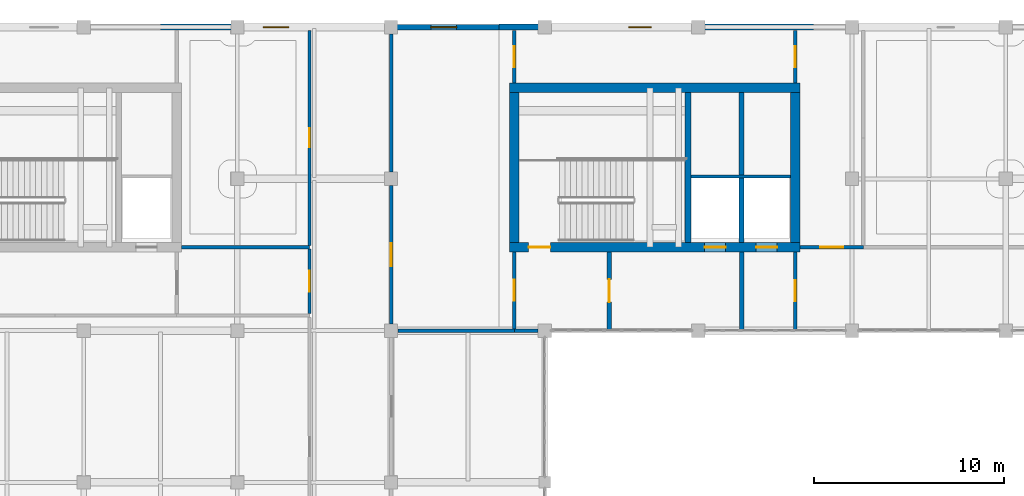
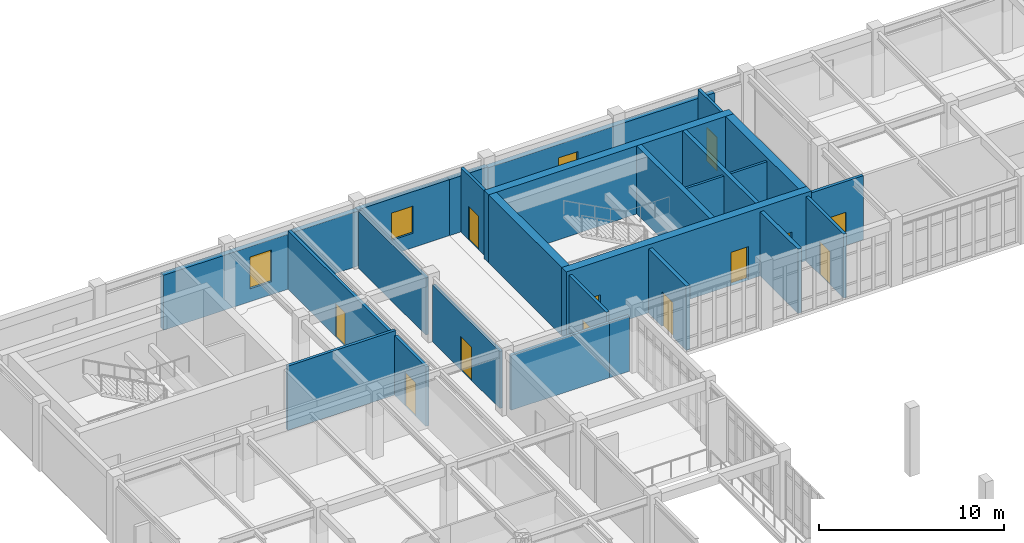
# One storey, part 52 of 67: 25 walls, 12 doors, 3 windows, 15 openings.
"""IFC4 building model written with IfcOpenShell, lengths in metres."""

from ifc_helpers import new_model, si_unit, direction, frame, frame_2d, origin, place, context, subcontext, project, spatial, rectangle, extrude, material, layer, layer_set, type_object, element, fill, save


model = new_model("IFC4")

# Units and contexts
model_context = context("Model", 3, precision=1e-05, world=origin(), true_north=direction((0.0, 1.0)))
body_context = subcontext(model_context, "Body", "Model", "MODEL_VIEW")
ifc_project = project(units=[si_unit("LENGTHUNIT", "METRE"), si_unit("AREAUNIT", "SQUARE_METRE"), si_unit("VOLUMEUNIT", "CUBIC_METRE"), si_unit("PLANEANGLEUNIT", "RADIAN"), si_unit("MASSUNIT", "GRAM", prefix="KILO")], contexts=[model_context])

# Site, building, storey
site_placement = place(None, origin())
site = spatial("IfcSite", under=ifc_project, at=site_placement, CompositionType="ELEMENT")
building_placement = place(site_placement, origin())
building = spatial("IfcBuilding", under=site, at=building_placement, Name="Tarnveldt Square Police Headquarters", CompositionType="ELEMENT")
storey_placement = place(building_placement, frame((0.0, 0.0, 10.199951171875)))
storey = spatial("IfcBuildingStorey", under=building, at=storey_placement, Name="L02", CompositionType="ELEMENT", Elevation=10.199951171875)

# Walls
ifc_material_1 = material(Name="Concrete 50 MPa", Category="concrete")
ifc_layer_1 = layer(ifc_material_1, 0.449951171875)
ifc_layer_set_1 = layer_set([ifc_layer_1], Name="Concrete 50 MPa")
wall_type_1 = type_object("IfcWallType", Name="WL-CORE-450", PredefinedType="SHEAR", material=ifc_layer_set_1)
wall_1_placement = place(storey_placement, frame((56.14990234375, 100.64990234375, 0.0), z_axis=(0.0, 0.0, 1.0), x_axis=(0.0, 1.0, 0.0)))
element("IfcWall", 1, at=wall_1_placement, inside=storey, type_object=wall_type_1, Name="Core K3 North-Central Forensic and Firefighting Core L02 Stair-Lift Divider Shear Wall", PredefinedType="SHEAR", context=body_context, shape_type="SweptSolid", body=[
    extrude(rectangle(XDim=7.900146484375, YDim=0.300048828125, at=frame_2d((3.9501953125, 0.0))), origin(), (0.0, 0.0, 1.0), 4.5),
])
wall_2_placement = place(storey_placement, frame((58.97509765625, 100.64990234375, 0.0), z_axis=(0.0, 0.0, 1.0), x_axis=(0.0, 1.0, 0.0)))
element("IfcWall", 2, at=wall_2_placement, inside=storey, type_object=wall_type_1, Name="Core K3 North-Central Forensic and Firefighting Core L02 Dual-Lift Shaft Divider Wall", PredefinedType="SHEAR", context=body_context, shape_type="SweptSolid", body=[
    extrude(rectangle(XDim=7.900146484375, YDim=0.25, at=frame_2d((3.9501953125, 0.0))), origin(), (0.0, 0.0, 1.0), 4.5),
])

# Wall, openings, doors
ifc_layer_2 = layer(ifc_material_1, 0.5)
ifc_layer_set_2 = layer_set([ifc_layer_2], Name="Concrete 50 MPa")
wall_type_2 = type_object("IfcWallType", Name="WL-CORE-500", PredefinedType="SHEAR", material=ifc_layer_set_2)
wall_3_placement = place(storey_placement, frame((46.75, 100.39990234375, 0.0), z_axis=(0.0, 0.0, 1.0), x_axis=(1.0, 0.0, 0.0)))
wall_3 = element("IfcWall", 3, at=wall_3_placement, inside=storey, type_object=wall_type_2, Name="Core K3 North-Central Forensic and Firefighting Core L02 South Shear Wall", PredefinedType="SHEAR", context=body_context, shape_type="SweptSolid", body=[
    extrude(rectangle(XDim=15.300048828125, YDim=0.5, at=frame_2d((7.64990234375, 0.0))), origin(), (0.0, 0.0, 1.0), 4.5),
])
opening_1_placement = place(wall_3_placement, frame((1.0, 0.0, 0.0)))
opening_1 = element("IfcOpeningElement", 4, at=opening_1_placement, cuts=wall_3, Name="Opening D-ST3-L02", PredefinedType="OPENING", context=body_context, shape_type="SweptSolid", body=[
    extrude(rectangle(XDim=1.14990234375, YDim=2.25, at=frame_2d((0.574951171875, 1.125))), frame((0.0, 0.260009765625, 0.0), z_axis=(0.0, -1.0, 0.0), x_axis=(1.0, 0.0, 0.0)), (0.0, 0.0, 1.0), 0.52001953125),
])
opening_2_placement = place(wall_3_placement, frame((10.282470703125, 0.0, 0.0)))
opening_2 = element("IfcOpeningElement", 5, at=opening_2_placement, cuts=wall_3, Name="Opening LD-LF2-L02", PredefinedType="OPENING", context=body_context, shape_type="SweptSolid", body=[
    extrude(rectangle(XDim=1.10009765625, YDim=2.199951171875, at=frame_2d((0.550048828125, 1.10009765625))), frame((0.0, 0.260009765625, 0.0), z_axis=(0.0, -1.0, 0.0), x_axis=(1.0, 0.0, 0.0)), (0.0, 0.0, 1.0), 0.52001953125),
])
opening_3_placement = place(wall_3_placement, frame((12.99755859375, 0.0, 0.0)))
opening_3 = element("IfcOpeningElement", 6, at=opening_3_placement, cuts=wall_3, Name="Opening LD-LP3-L02", PredefinedType="OPENING", context=body_context, shape_type="SweptSolid", body=[
    extrude(rectangle(XDim=1.10009765625, YDim=2.199951171875, at=frame_2d((0.550048828125, 1.10009765625))), frame((0.0, 0.260009765625, 0.0), z_axis=(0.0, -1.0, 0.0), x_axis=(1.0, 0.0, 0.0)), (0.0, 0.0, 1.0), 0.52001953125),
])
ifc_material_2 = material(Name="Insulated hollow metal steel door leaf", Category="steel")
door_type_1 = type_object("IfcDoorType", Name="DR-FD90-1150", OperationType="NOTDEFINED", PredefinedType="DOOR", material=ifc_material_2)
door_1_placement = place(opening_1_placement, origin())
door_1 = element("IfcDoor", 7, at=door_1_placement, inside=storey, type_object=door_type_1, Name="Exit Stair ST3 L02 Fire Door", OperationType="SINGLE_SWING_RIGHT", OverallHeight=2.25, OverallWidth=1.14990234375, PredefinedType="DOOR", context=body_context, shape_type="SweptSolid", body=[
    extrude(rectangle(XDim=1.14990234375, YDim=2.25, at=frame_2d((0.574951171875, 1.125))), frame((0.0, 0.02490234375, 0.0), z_axis=(0.0, -1.0, 0.0), x_axis=(1.0, 0.0, 0.0)), (0.0, 0.0, 1.0), 0.050048828125),
])
fill(opening_1, door_1)
ifc_material_3 = material(Name="Steel 350W", Category="steel")
door_type_2 = type_object("IfcDoorType", Name="DR-LD-1100", OperationType="DOUBLE_DOOR_SLIDING", PredefinedType="DOOR", material=ifc_material_3)
door_2_placement = place(opening_2_placement, frame((1.10009765625, 0.0, 0.0), z_axis=(0.0, 0.0, 1.0), x_axis=(-1.0, 0.0, 0.0)))
door_2 = element("IfcDoor", 8, at=door_2_placement, inside=storey, type_object=door_type_2, Name="Elevator LF2 L02 Sliding Landing Door", OperationType="DOUBLE_DOOR_SLIDING", OverallHeight=2.199951171875, OverallWidth=1.10009765625, PredefinedType="DOOR", context=body_context, shape_type="SweptSolid", body=[
    extrude(rectangle(XDim=1.10009765625, YDim=2.199951171875, at=frame_2d((0.550048828125, 1.10009765625))), frame((0.0, 0.02490234375, 0.0), z_axis=(0.0, -1.0, 0.0), x_axis=(1.0, 0.0, 0.0)), (0.0, 0.0, 1.0), 0.050048828125),
])
fill(opening_2, door_2)
door_3_placement = place(opening_3_placement, frame((1.10009765625, 0.0, 0.0), z_axis=(0.0, 0.0, 1.0), x_axis=(-1.0, 0.0, 0.0)))
door_3 = element("IfcDoor", 9, at=door_3_placement, inside=storey, type_object=door_type_2, Name="Elevator LP3 L02 Sliding Landing Door", OperationType="DOUBLE_DOOR_SLIDING", OverallHeight=2.199951171875, OverallWidth=1.10009765625, PredefinedType="DOOR", context=body_context, shape_type="SweptSolid", body=[
    extrude(rectangle(XDim=1.10009765625, YDim=2.199951171875, at=frame_2d((0.550048828125, 1.10009765625))), frame((0.0, 0.02490234375, 0.0), z_axis=(0.0, -1.0, 0.0), x_axis=(1.0, 0.0, 0.0)), (0.0, 0.0, 1.0), 0.050048828125),
])
fill(opening_3, door_3)

# Walls
wall_4_placement = place(storey_placement, frame((46.75, 108.800048828125, 0.0), z_axis=(0.0, 0.0, 1.0), x_axis=(1.0, 0.0, 0.0)))
element("IfcWall", 10, at=wall_4_placement, inside=storey, type_object=wall_type_2, Name="Core K3 North-Central Forensic and Firefighting Core L02 North Shear Wall", PredefinedType="SHEAR", context=body_context, shape_type="SweptSolid", body=[
    extrude(rectangle(XDim=15.300048828125, YDim=0.5, at=frame_2d((7.64990234375, 0.0))), origin(), (0.0, 0.0, 1.0), 4.5),
])
for number, where, z_axis, x_axis, name in (
    (11, (47.0, 100.64990234375, 0.0), (0.0, 0.0, 1.0), (0.0, 1.0, 0.0), "Core K3 North-Central Forensic and Firefighting Core L02 West Shear Wall"),
    (12, (61.800048828125, 100.64990234375, 0.0), (0.0, 0.0, 1.0), (0.0, 1.0, 0.0), "Core K3 North-Central Forensic and Firefighting Core L02 East Shear Wall"),
):
    element("IfcWall", number, at=place(storey_placement, frame(where, z_axis=z_axis, x_axis=x_axis)), inside=storey, type_object=wall_type_2, Name=name, PredefinedType="SHEAR", context=body_context, shape_type="SweptSolid", body=[
        extrude(rectangle(XDim=7.900146484375, YDim=0.5, at=frame_2d((3.9501953125, 0.0))), origin(), (0.0, 0.0, 1.0), 4.5),
    ])

# Wall, opening, window
ifc_material_4 = material(Name="Concrete 40 MPa", Category="concrete")
ifc_layer_3 = layer(ifc_material_4, 0.320068359375)
ifc_layer_set_3 = layer_set([ifc_layer_3], Name="Concrete 40 MPa")
wall_type_3 = type_object("IfcWallType", Name="WL-EXT-BH320", PredefinedType="SOLIDWALL", material=ifc_layer_set_3)
wall_5_placement = place(storey_placement, frame((62.77490234375, 112.0, 0.0), z_axis=(0.0, 0.0, 1.0), x_axis=(-1.0, 0.0, 0.0)))
wall_5 = element("IfcWall", 13, at=wall_5_placement, inside=storey, type_object=wall_type_3, Name="L02 Brutalist Exterior Wall 0132", PredefinedType="SOLIDWALL", context=body_context, shape_type="SweptSolid", body=[
    extrude(rectangle(XDim=14.1748046875, YDim=0.320068359375, at=frame_2d((7.08740234375, 0.0))), origin(), (0.0, 0.0, 1.0), 3.632080078125),
])
opening_4_placement = place(wall_5_placement, frame((8.550048828125, 0.0, 0.949951171875)))
opening_4 = element("IfcOpeningElement", 14, at=opening_4_placement, cuts=wall_5, Name="Opening W04", PredefinedType="OPENING", context=body_context, shape_type="SweptSolid", body=[
    extrude(rectangle(XDim=1.199951171875, YDim=1.800048828125, at=frame_2d((0.60009765625, 0.89990234375))), frame((0.0, 0.169921875, 0.0), z_axis=(0.0, -1.0, 0.0), x_axis=(1.0, 0.0, 0.0)), (0.0, 0.0, 1.0), 0.340087890625),
])
ifc_material_5 = material(Name="Triple-glazed low-e laminated vision glass", Category="glass")
window_type_1 = type_object("IfcWindowType", Name="WIN-DR-120x180", PartitioningType="SINGLE_PANEL", PredefinedType="WINDOW", material=ifc_material_5)
window_1_placement = place(opening_4_placement, origin())
window_1 = element("IfcWindow", 15, at=window_1_placement, inside=storey, type_object=window_type_1, Name="L02 Deep-Reveal Brutalist Window 0052", OverallHeight=1.800048828125, OverallWidth=1.199951171875, PartitioningType="SINGLE_PANEL", PredefinedType="WINDOW", context=body_context, shape_type="SweptSolid", body=[
    extrude(rectangle(XDim=1.199951171875, YDim=1.800048828125, at=frame_2d((0.60009765625, 0.89990234375))), frame((0.0, 0.030029296875, 0.0), z_axis=(0.0, -1.0, 0.0), x_axis=(1.0, 0.0, 0.0)), (0.0, 0.0, 1.0), 0.06005859375),
])
fill(opening_4, window_1)

# Wall
wall_6_placement = place(storey_placement, frame((48.60009765625, 112.0, 0.0), z_axis=(0.0, 0.0, 1.0), x_axis=(-1.0, 0.0, 0.0)))
element("IfcWall", 16, at=wall_6_placement, inside=storey, type_object=wall_type_3, Name="L02 Brutalist Exterior Wall 0133", PredefinedType="SOLIDWALL", context=body_context, shape_type="SweptSolid", body=[
    extrude(rectangle(XDim=2.400146484375, YDim=0.320068359375, at=frame_2d((1.2001953125, 0.0))), origin(), (0.0, 0.0, 1.0), 3.698974609375),
])

# Wall, opening, window
wall_7_placement = place(storey_placement, frame((40.5, 112.0, 0.0), z_axis=(0.0, 0.0, 1.0), x_axis=(-1.0, 0.0, 0.0)))
wall_7 = element("IfcWall", 17, at=wall_7_placement, inside=storey, type_object=wall_type_3, Name="L02 Brutalist Exterior Wall 0135", PredefinedType="SOLIDWALL", context=body_context, shape_type="SweptSolid", body=[
    extrude(rectangle(XDim=12.14990234375, YDim=0.320068359375, at=frame_2d((6.074951171875, 0.0))), origin(), (0.0, 0.0, 1.0), 3.632080078125),
])
opening_5_placement = place(wall_7_placement, frame((5.39990234375, 0.0, 0.85009765625)))
opening_5 = element("IfcOpeningElement", 18, at=opening_5_placement, cuts=wall_7, Name="Opening W06", PredefinedType="OPENING", context=body_context, shape_type="SweptSolid", body=[
    extrude(rectangle(XDim=1.35009765625, YDim=2.10009765625, at=frame_2d((0.675048828125, 1.050048828125))), frame((0.0, 0.169921875, 0.0), z_axis=(0.0, -1.0, 0.0), x_axis=(1.0, 0.0, 0.0)), (0.0, 0.0, 1.0), 0.340087890625),
])
window_type_2 = type_object("IfcWindowType", Name="WIN-DR-135x210", PartitioningType="DOUBLE_PANEL_VERTICAL", PredefinedType="WINDOW", material=ifc_material_5)
window_2_placement = place(opening_5_placement, origin())
window_2 = element("IfcWindow", 19, at=window_2_placement, inside=storey, type_object=window_type_2, Name="L02 Deep-Reveal Brutalist Window 0054", OverallHeight=2.10009765625, OverallWidth=1.35009765625, PartitioningType="DOUBLE_PANEL_VERTICAL", PredefinedType="WINDOW", context=body_context, shape_type="SweptSolid", body=[
    extrude(rectangle(XDim=1.35009765625, YDim=2.10009765625, at=frame_2d((0.675048828125, 1.050048828125))), frame((0.0, 0.030029296875, 0.0), z_axis=(0.0, -1.0, 0.0), x_axis=(1.0, 0.0, 0.0)), (0.0, 0.0, 1.0), 0.06005859375),
])
fill(opening_5, window_2)

ifc_material_6 = material(Name="Manganese ironspot clay brick masonry 20 MPa", Category="masonry")
ifc_layer_4 = layer(ifc_material_6, 0.300048828125)
ifc_layer_set_4 = layer_set([ifc_layer_4], Name="Manganese ironspot clay brick masonry 20 MPa")
wall_type_4 = type_object("IfcWallType", Name="WL-EXT-BRK300", PredefinedType="SOLIDWALL", material=ifc_layer_set_4)
wall_8_placement = place(storey_placement, frame((46.199951171875, 112.0, 0.0), z_axis=(0.0, 0.0, 1.0), x_axis=(-1.0, 0.0, 0.0)))
wall_8 = element("IfcWall", 20, at=wall_8_placement, inside=storey, type_object=wall_type_4, Name="L02 Brutalist Exterior Wall 0134", PredefinedType="SOLIDWALL", context=body_context, shape_type="SweptSolid", body=[
    extrude(rectangle(XDim=5.699951171875, YDim=0.300048828125, at=frame_2d((2.85009765625, 0.0))), origin(), (0.0, 0.0, 1.0), 3.698974609375),
])
opening_6_placement = place(wall_8_placement, frame((2.25, 0.0, 0.949951171875)))
opening_6 = element("IfcOpeningElement", 21, at=opening_6_placement, cuts=wall_8, Name="Opening W05", PredefinedType="OPENING", context=body_context, shape_type="SweptSolid", body=[
    extrude(rectangle(XDim=1.35009765625, YDim=1.800048828125, at=frame_2d((0.675048828125, 0.89990234375))), frame((0.0, 0.159912109375, 0.0), z_axis=(0.0, -1.0, 0.0), x_axis=(1.0, 0.0, 0.0)), (0.0, 0.0, 1.0), 0.320068359375),
])
window_type_3 = type_object("IfcWindowType", Name="WIN-DR-135x180", PartitioningType="DOUBLE_PANEL_VERTICAL", PredefinedType="WINDOW", material=ifc_material_5)
window_3_placement = place(opening_6_placement, origin())
window_3 = element("IfcWindow", 22, at=window_3_placement, inside=storey, type_object=window_type_3, Name="L02 Deep-Reveal Brutalist Window 0053", OverallHeight=1.800048828125, OverallWidth=1.35009765625, PartitioningType="DOUBLE_PANEL_VERTICAL", PredefinedType="WINDOW", context=body_context, shape_type="SweptSolid", body=[
    extrude(rectangle(XDim=1.35009765625, YDim=1.800048828125, at=frame_2d((0.675048828125, 0.89990234375))), frame((0.0, 0.030029296875, 0.0), z_axis=(0.0, -1.0, 0.0), x_axis=(1.0, 0.0, 0.0)), (0.0, 0.0, 1.0), 0.06005859375),
])
fill(opening_6, window_3)

# Walls
ifc_material_7 = material(Name="Fire-rated Type X gypsum board on steel studs", Category="steel")
ifc_layer_5 = layer(ifc_material_7, 0.179931640625)
ifc_layer_set_5 = layer_set([ifc_layer_5], Name="Fire-rated Type X gypsum board on steel studs")
wall_type_5 = type_object("IfcWallType", Name="WL-FIRE-180", PredefinedType="PARTITIONING", material=ifc_layer_set_5)
wall_9_placement = place(storey_placement, frame((29.449951171875, 100.39990234375, 0.0), z_axis=(0.0, 0.0, 1.0), x_axis=(1.0, 0.0, 0.0)))
element("IfcWall", 23, at=wall_9_placement, inside=storey, type_object=wall_type_5, Name="L02 Interior Partition Wall 0348", PredefinedType="PARTITIONING", context=body_context, shape_type="SweptSolid", body=[
    extrude(rectangle(XDim=6.75, YDim=0.179931640625, at=frame_2d((3.375, 0.0))), origin(), (0.0, 0.0, 1.0), 4.239990234375),
])
wall_10_placement = place(storey_placement, frame((40.85791015625, 96.0, 0.0), z_axis=(0.0, 0.0, 1.0), x_axis=(1.0, 0.0, 0.0)))
element("IfcWall", 24, at=wall_10_placement, inside=storey, type_object=wall_type_5, Name="L02 Interior Partition Wall 0364", PredefinedType="PARTITIONING", context=body_context, shape_type="SweptSolid", body=[
    extrude(rectangle(XDim=6.14208984375, YDim=0.179931640625, at=frame_2d((3.071044921875, 0.0))), origin(), (0.0, 0.0, 1.0), 3.632080078125),
])
wall_11_placement = place(storey_placement, frame((47.0, 96.0, 0.0), z_axis=(0.0, 0.0, 1.0), x_axis=(1.0, 0.0, 0.0)))
element("IfcWall", 25, at=wall_11_placement, inside=storey, type_object=wall_type_5, Name="L02 Interior Partition Wall 0365", PredefinedType="PARTITIONING", context=body_context, shape_type="SweptSolid", body=[
    extrude(rectangle(XDim=1.241943359375, YDim=0.179931640625, at=frame_2d((0.62109375, 0.0))), origin(), (0.0, 0.0, 1.0), 3.632080078125),
])

# Wall, opening, door
wall_12_placement = place(storey_placement, frame((62.050048828125, 100.39990234375, 0.0), z_axis=(0.0, 0.0, 1.0), x_axis=(1.0, 0.0, 0.0)))
wall_12 = element("IfcWall", 26, at=wall_12_placement, inside=storey, type_object=wall_type_5, Name="L02 Interior Partition Wall 0367", PredefinedType="PARTITIONING", context=body_context, shape_type="SweptSolid", body=[
    extrude(rectangle(XDim=3.349853515625, YDim=0.179931640625, at=frame_2d((1.6748046875, 0.0))), origin(), (0.0, 0.0, 1.0), 4.239990234375),
])
opening_7_placement = place(wall_12_placement, frame((1.074951171875, 0.0, 0.0)))
opening_7 = element("IfcOpeningElement", 27, at=opening_7_placement, cuts=wall_12, Name="Opening D16", PredefinedType="OPENING", context=body_context, shape_type="SweptSolid", body=[
    extrude(rectangle(XDim=1.199951171875, YDim=2.199951171875, at=frame_2d((0.60009765625, 1.10009765625))), frame((0.0, 0.099853515625, 0.0), z_axis=(0.0, -1.0, 0.0), x_axis=(1.0, 0.0, 0.0)), (0.0, 0.0, 1.0), 0.199951171875),
])
door_type_3 = type_object("IfcDoorType", Name="DR-FD60-1200", OperationType="NOTDEFINED", PredefinedType="DOOR", material=ifc_material_2)
door_4_placement = place(opening_7_placement, frame((1.199951171875, 0.0, 0.0), z_axis=(0.0, 0.0, 1.0), x_axis=(-1.0, 0.0, 0.0)))
door_4 = element("IfcDoor", 28, at=door_4_placement, inside=storey, type_object=door_type_3, Name="Forensic Chemistry Corridor L02 Door", OperationType="SINGLE_SWING_LEFT", OverallHeight=2.199951171875, OverallWidth=1.199951171875, PredefinedType="DOOR", context=body_context, shape_type="SweptSolid", body=[
    extrude(rectangle(XDim=1.199951171875, YDim=2.199951171875, at=frame_2d((0.60009765625, 1.10009765625))), frame((0.0, 0.02490234375, 0.0), z_axis=(0.0, -1.0, 0.0), x_axis=(1.0, 0.0, 0.0)), (0.0, 0.0, 1.0), 0.050048828125),
])
fill(opening_7, door_4)

wall_13_placement = place(storey_placement, frame((36.199951171875, 96.89794921875, 0.0), z_axis=(0.0, 0.0, 1.0), x_axis=(0.0, 1.0, 0.0)))
wall_13 = element("IfcWall", 29, at=wall_13_placement, inside=storey, type_object=wall_type_5, Name="L02 Interior Partition Wall 0397", PredefinedType="PARTITIONING", context=body_context, shape_type="SweptSolid", body=[
    extrude(rectangle(XDim=3.404052734375, YDim=0.179931640625, at=frame_2d((1.7021484375, 0.0))), origin(), (0.0, 0.0, 1.0), 3.928955078125),
])
opening_8_placement = place(wall_13_placement, frame((1.152099609375, 0.0, 0.0)))
opening_8 = element("IfcOpeningElement", 30, at=opening_8_placement, cuts=wall_13, Name="Opening D15", PredefinedType="OPENING", context=body_context, shape_type="SweptSolid", body=[
    extrude(rectangle(XDim=1.10009765625, YDim=2.199951171875, at=frame_2d((0.550048828125, 1.10009765625))), frame((0.0, 0.099853515625, 0.0), z_axis=(0.0, -1.0, 0.0), x_axis=(1.0, 0.0, 0.0)), (0.0, 0.0, 1.0), 0.199951171875),
])
door_type_4 = type_object("IfcDoorType", Name="DR-FD60-1100", OperationType="NOTDEFINED", PredefinedType="DOOR", material=ifc_material_2)
door_5_placement = place(opening_8_placement, origin())
door_5 = element("IfcDoor", 31, at=door_5_placement, inside=storey, type_object=door_type_4, Name="Core K2 East Vestibule L02 Door", OperationType="SINGLE_SWING_LEFT", OverallHeight=2.199951171875, OverallWidth=1.10009765625, PredefinedType="DOOR", context=body_context, shape_type="SweptSolid", body=[
    extrude(rectangle(XDim=1.10009765625, YDim=2.199951171875, at=frame_2d((0.550048828125, 1.10009765625))), frame((0.0, 0.02490234375, 0.0), z_axis=(0.0, -1.0, 0.0), x_axis=(1.0, 0.0, 0.0)), (0.0, 0.0, 1.0), 0.050048828125),
])
fill(opening_8, door_5)

wall_14_placement = place(storey_placement, frame((36.199951171875, 100.498046875, 0.0), z_axis=(0.0, 0.0, 1.0), x_axis=(0.0, 1.0, 0.0)))
wall_14 = element("IfcWall", 32, at=wall_14_placement, inside=storey, type_object=wall_type_5, Name="L02 Interior Partition Wall 0398", PredefinedType="PARTITIONING", context=body_context, shape_type="SweptSolid", body=[
    extrude(rectangle(XDim=11.333984375, YDim=0.179931640625, at=frame_2d((5.6669921875, 0.0))), origin(), (0.0, 0.0, 1.0), 3.8779296875),
])
opening_9_placement = place(wall_14_placement, frame((5.1669921875, 0.0, 0.0)))
opening_9 = element("IfcOpeningElement", 33, at=opening_9_placement, cuts=wall_14, Name="Opening D05", PredefinedType="OPENING", context=body_context, shape_type="SweptSolid", body=[
    extrude(rectangle(XDim=1.0, YDim=2.199951171875, at=frame_2d((0.5, 1.10009765625))), frame((0.0, 0.099853515625, 0.0), z_axis=(0.0, -1.0, 0.0), x_axis=(1.0, 0.0, 0.0)), (0.0, 0.0, 1.0), 0.199951171875),
])
ifc_material_8 = material(Name="Solid core architectural birch door leaf", Category="wood")
door_type_5 = type_object("IfcDoorType", Name="DR-INT-1000", OperationType="NOTDEFINED", PredefinedType="DOOR", material=ifc_material_8)
door_6_placement = place(opening_9_placement, origin())
door_6 = element("IfcDoor", 34, at=door_6_placement, inside=storey, type_object=door_type_5, Name="Field Intelligence Briefing Room Door", OperationType="SINGLE_SWING_RIGHT", OverallHeight=2.199951171875, OverallWidth=1.0, PredefinedType="DOOR", context=body_context, shape_type="SweptSolid", body=[
    extrude(rectangle(XDim=1.0, YDim=2.199951171875, at=frame_2d((0.5, 1.10009765625))), frame((0.0, 0.02490234375, 0.0), z_axis=(0.0, -1.0, 0.0), x_axis=(1.0, 0.0, 0.0)), (0.0, 0.0, 1.0), 0.050048828125),
])
fill(opening_9, door_6)

wall_15_placement = place(storey_placement, frame((40.5, 96.35791015625, 0.0), z_axis=(0.0, 0.0, 1.0), x_axis=(0.0, 1.0, 0.0)))
wall_15 = element("IfcWall", 35, at=wall_15_placement, inside=storey, type_object=wall_type_5, Name="L02 Interior Partition Wall 0410", PredefinedType="PARTITIONING", context=body_context, shape_type="SweptSolid", body=[
    extrude(rectangle(XDim=7.2841796875, YDim=0.179931640625, at=frame_2d((3.64208984375, 0.0))), origin(), (0.0, 0.0, 1.0), 3.76904296875),
])
opening_10_placement = place(wall_15_placement, frame((3.0419921875, 0.0, 0.0)))
opening_10 = element("IfcOpeningElement", 36, at=opening_10_placement, cuts=wall_15, Name="Opening D16", PredefinedType="OPENING", context=body_context, shape_type="SweptSolid", body=[
    extrude(rectangle(XDim=1.199951171875, YDim=2.199951171875, at=frame_2d((0.60009765625, 1.10009765625))), frame((0.0, 0.099853515625, 0.0), z_axis=(0.0, -1.0, 0.0), x_axis=(1.0, 0.0, 0.0)), (0.0, 0.0, 1.0), 0.199951171875),
])
door_7_placement = place(opening_10_placement, frame((1.199951171875, 0.0, 0.0), z_axis=(0.0, 0.0, 1.0), x_axis=(-1.0, 0.0, 0.0)))
door_7 = element("IfcDoor", 37, at=door_7_placement, inside=storey, type_object=door_type_3, Name="North-West Forensic Link Corridor L02 Door", OperationType="SINGLE_SWING_LEFT", OverallHeight=2.199951171875, OverallWidth=1.199951171875, PredefinedType="DOOR", context=body_context, shape_type="SweptSolid", body=[
    extrude(rectangle(XDim=1.199951171875, YDim=2.199951171875, at=frame_2d((0.60009765625, 1.10009765625))), frame((0.0, 0.02490234375, 0.0), z_axis=(0.0, -1.0, 0.0), x_axis=(1.0, 0.0, 0.0)), (0.0, 0.0, 1.0), 0.050048828125),
])
fill(opening_10, door_7)

# Wall
wall_16_placement = place(storey_placement, frame((40.5, 104.35791015625, 0.0), z_axis=(0.0, 0.0, 1.0), x_axis=(0.0, 1.0, 0.0)))
element("IfcWall", 38, at=wall_16_placement, inside=storey, type_object=wall_type_5, Name="L02 Interior Partition Wall 0411", PredefinedType="PARTITIONING", context=body_context, shape_type="SweptSolid", body=[
    extrude(rectangle(XDim=7.2841796875, YDim=0.179931640625, at=frame_2d((3.64208984375, 0.0))), origin(), (0.0, 0.0, 1.0), 3.76904296875),
])

# Wall, opening, door
wall_17_placement = place(storey_placement, frame((47.0, 96.097900390625, 0.0), z_axis=(0.0, 0.0, 1.0), x_axis=(0.0, 1.0, 0.0)))
wall_17 = element("IfcWall", 39, at=wall_17_placement, inside=storey, type_object=wall_type_5, Name="L02 Interior Partition Wall 0412", PredefinedType="PARTITIONING", context=body_context, shape_type="SweptSolid", body=[
    extrude(rectangle(XDim=4.044189453125, YDim=0.179931640625, at=frame_2d((2.02197265625, 0.0))), origin(), (0.0, 0.0, 1.0), 4.239990234375),
])
opening_11_placement = place(wall_17_placement, frame((1.471923828125, 0.0, 0.0)))
opening_11 = element("IfcOpeningElement", 40, at=opening_11_placement, cuts=wall_17, Name="Opening D15", PredefinedType="OPENING", context=body_context, shape_type="SweptSolid", body=[
    extrude(rectangle(XDim=1.10009765625, YDim=2.199951171875, at=frame_2d((0.550048828125, 1.10009765625))), frame((0.0, 0.099853515625, 0.0), z_axis=(0.0, -1.0, 0.0), x_axis=(1.0, 0.0, 0.0)), (0.0, 0.0, 1.0), 0.199951171875),
])
door_8_placement = place(opening_11_placement, origin())
door_8 = element("IfcDoor", 41, at=door_8_placement, inside=storey, type_object=door_type_4, Name="Core Stair Lobby K3-L02 Door", OperationType="SINGLE_SWING_RIGHT", OverallHeight=2.199951171875, OverallWidth=1.10009765625, PredefinedType="DOOR", context=body_context, shape_type="SweptSolid", body=[
    extrude(rectangle(XDim=1.10009765625, YDim=2.199951171875, at=frame_2d((0.550048828125, 1.10009765625))), frame((0.0, 0.02490234375, 0.0), z_axis=(0.0, -1.0, 0.0), x_axis=(1.0, 0.0, 0.0)), (0.0, 0.0, 1.0), 0.050048828125),
])
fill(opening_11, door_8)

wall_18_placement = place(storey_placement, frame((47.0, 109.05810546875, 0.0), z_axis=(0.0, 0.0, 1.0), x_axis=(0.0, 1.0, 0.0)))
wall_18 = element("IfcWall", 42, at=wall_18_placement, inside=storey, type_object=wall_type_5, Name="L02 Interior Partition Wall 0413", PredefinedType="PARTITIONING", context=body_context, shape_type="SweptSolid", body=[
    extrude(rectangle(XDim=2.77392578125, YDim=0.179931640625, at=frame_2d((1.386962890625, 0.0))), origin(), (0.0, 0.0, 1.0), 4.239990234375),
])
opening_12_placement = place(wall_18_placement, frame((0.8369140625, 0.0, 0.0)))
opening_12 = element("IfcOpeningElement", 43, at=opening_12_placement, cuts=wall_18, Name="Opening D15", PredefinedType="OPENING", context=body_context, shape_type="SweptSolid", body=[
    extrude(rectangle(XDim=1.10009765625, YDim=2.199951171875, at=frame_2d((0.550048828125, 1.10009765625))), frame((0.0, 0.099853515625, 0.0), z_axis=(0.0, -1.0, 0.0), x_axis=(1.0, 0.0, 0.0)), (0.0, 0.0, 1.0), 0.199951171875),
])
door_9_placement = place(opening_12_placement, frame((1.10009765625, 0.0, 0.0), z_axis=(0.0, 0.0, 1.0), x_axis=(-1.0, 0.0, 0.0)))
door_9 = element("IfcDoor", 44, at=door_9_placement, inside=storey, type_object=door_type_4, Name="Core K3 North Corridor L02 Door", OperationType="SINGLE_SWING_LEFT", OverallHeight=2.199951171875, OverallWidth=1.10009765625, PredefinedType="DOOR", context=body_context, shape_type="SweptSolid", body=[
    extrude(rectangle(XDim=1.10009765625, YDim=2.199951171875, at=frame_2d((0.550048828125, 1.10009765625))), frame((0.0, 0.02490234375, 0.0), z_axis=(0.0, -1.0, 0.0), x_axis=(1.0, 0.0, 0.0)), (0.0, 0.0, 1.0), 0.050048828125),
])
fill(opening_12, door_9)

wall_19_placement = place(storey_placement, frame((61.800048828125, 96.06494140625, 0.0), z_axis=(0.0, 0.0, 1.0), x_axis=(0.0, 1.0, 0.0)))
wall_19 = element("IfcWall", 45, at=wall_19_placement, inside=storey, type_object=wall_type_5, Name="L02 Interior Partition Wall 0417", PredefinedType="PARTITIONING", context=body_context, shape_type="SweptSolid", body=[
    extrude(rectangle(XDim=4.0771484375, YDim=0.179931640625, at=frame_2d((2.03857421875, 0.0))), origin(), (0.0, 0.0, 1.0), 4.239990234375),
])
opening_13_placement = place(wall_19_placement, frame((1.488525390625, 0.0, 0.0)))
opening_13 = element("IfcOpeningElement", 46, at=opening_13_placement, cuts=wall_19, Name="Opening D15", PredefinedType="OPENING", context=body_context, shape_type="SweptSolid", body=[
    extrude(rectangle(XDim=1.10009765625, YDim=2.199951171875, at=frame_2d((0.550048828125, 1.10009765625))), frame((0.0, 0.099853515625, 0.0), z_axis=(0.0, -1.0, 0.0), x_axis=(1.0, 0.0, 0.0)), (0.0, 0.0, 1.0), 0.199951171875),
])
door_10_placement = place(opening_13_placement, frame((1.10009765625, 0.0, 0.0), z_axis=(0.0, 0.0, 1.0), x_axis=(-1.0, 0.0, 0.0)))
door_10 = element("IfcDoor", 47, at=door_10_placement, inside=storey, type_object=door_type_4, Name="Passenger Lift Lobby K3-L02 Door", OperationType="SINGLE_SWING_LEFT", OverallHeight=2.199951171875, OverallWidth=1.10009765625, PredefinedType="DOOR", context=body_context, shape_type="SweptSolid", body=[
    extrude(rectangle(XDim=1.10009765625, YDim=2.199951171875, at=frame_2d((0.550048828125, 1.10009765625))), frame((0.0, 0.02490234375, 0.0), z_axis=(0.0, -1.0, 0.0), x_axis=(1.0, 0.0, 0.0)), (0.0, 0.0, 1.0), 0.050048828125),
])
fill(opening_13, door_10)

wall_20_placement = place(storey_placement, frame((61.800048828125, 109.05810546875, 0.0), z_axis=(0.0, 0.0, 1.0), x_axis=(0.0, 1.0, 0.0)))
wall_20 = element("IfcWall", 48, at=wall_20_placement, inside=storey, type_object=wall_type_5, Name="L02 Interior Partition Wall 0418", PredefinedType="PARTITIONING", context=body_context, shape_type="SweptSolid", body=[
    extrude(rectangle(XDim=2.77392578125, YDim=0.179931640625, at=frame_2d((1.386962890625, 0.0))), origin(), (0.0, 0.0, 1.0), 4.239990234375),
])
opening_14_placement = place(wall_20_placement, frame((0.8369140625, 0.0, 0.0)))
opening_14 = element("IfcOpeningElement", 49, at=opening_14_placement, cuts=wall_20, Name="Opening D15", PredefinedType="OPENING", context=body_context, shape_type="SweptSolid", body=[
    extrude(rectangle(XDim=1.10009765625, YDim=2.199951171875, at=frame_2d((0.550048828125, 1.10009765625))), frame((0.0, 0.099853515625, 0.0), z_axis=(0.0, -1.0, 0.0), x_axis=(1.0, 0.0, 0.0)), (0.0, 0.0, 1.0), 0.199951171875),
])
door_11_placement = place(opening_14_placement, origin())
door_11 = element("IfcDoor", 50, at=door_11_placement, inside=storey, type_object=door_type_4, Name="Core K3 North Corridor L02 Secondary Door", OperationType="SINGLE_SWING_RIGHT", OverallHeight=2.199951171875, OverallWidth=1.10009765625, PredefinedType="DOOR", context=body_context, shape_type="SweptSolid", body=[
    extrude(rectangle(XDim=1.10009765625, YDim=2.199951171875, at=frame_2d((0.550048828125, 1.10009765625))), frame((0.0, 0.02490234375, 0.0), z_axis=(0.0, -1.0, 0.0), x_axis=(1.0, 0.0, 0.0)), (0.0, 0.0, 1.0), 0.050048828125),
])
fill(opening_14, door_11)

ifc_material_9 = material(Name="Concrete block masonry 15 MPa", Category="masonry")
ifc_layer_6 = layer(ifc_material_9, 0.239990234375)
ifc_layer_set_6 = layer_set([ifc_layer_6], Name="Concrete block masonry 15 MPa")
wall_type_6 = type_object("IfcWallType", Name="WL-FIRE-240", PredefinedType="PARTITIONING", material=ifc_layer_set_6)
wall_21_placement = place(storey_placement, frame((52.0, 96.06494140625, 0.0), z_axis=(0.0, 0.0, 1.0), x_axis=(0.0, 1.0, 0.0)))
wall_21 = element("IfcWall", 51, at=wall_21_placement, inside=storey, type_object=wall_type_6, Name="L02 Interior Partition Wall 0415", PredefinedType="PARTITIONING", context=body_context, shape_type="SweptSolid", body=[
    extrude(rectangle(XDim=4.0771484375, YDim=0.239990234375, at=frame_2d((2.03857421875, 0.0))), origin(), (0.0, 0.0, 1.0), 4.239990234375),
])
opening_15_placement = place(wall_21_placement, frame((1.4384765625, 0.0, 0.0)))
opening_15 = element("IfcOpeningElement", 52, at=opening_15_placement, cuts=wall_21, Name="Opening D20", PredefinedType="OPENING", context=body_context, shape_type="SweptSolid", body=[
    extrude(rectangle(XDim=1.199951171875, YDim=2.300048828125, at=frame_2d((0.60009765625, 1.14990234375))), frame((0.0, 0.1298828125, 0.0), z_axis=(0.0, -1.0, 0.0), x_axis=(1.0, 0.0, 0.0)), (0.0, 0.0, 1.0), 0.260009765625),
])
door_type_6 = type_object("IfcDoorType", Name="DR-FD90-1200", OperationType="NOTDEFINED", PredefinedType="DOOR", material=ifc_material_2)
door_12_placement = place(opening_15_placement, origin())
door_12 = element("IfcDoor", 53, at=door_12_placement, inside=storey, type_object=door_type_6, Name="Firefighting Lift Lobby K3-L02 Door", OperationType="SINGLE_SWING_RIGHT", OverallHeight=2.300048828125, OverallWidth=1.199951171875, PredefinedType="DOOR", context=body_context, shape_type="SweptSolid", body=[
    extrude(rectangle(XDim=1.199951171875, YDim=2.300048828125, at=frame_2d((0.60009765625, 1.14990234375))), frame((0.0, 0.02490234375, 0.0), z_axis=(0.0, -1.0, 0.0), x_axis=(1.0, 0.0, 0.0)), (0.0, 0.0, 1.0), 0.050048828125),
])
fill(opening_15, door_12)

# Walls
wall_22_placement = place(storey_placement, frame((58.97509765625, 96.06494140625, 0.0), z_axis=(0.0, 0.0, 1.0), x_axis=(0.0, 1.0, 0.0)))
element("IfcWall", 54, at=wall_22_placement, inside=storey, type_object=wall_type_6, Name="L02 Interior Partition Wall 0416", PredefinedType="PARTITIONING", context=body_context, shape_type="SweptSolid", body=[
    extrude(rectangle(XDim=4.0771484375, YDim=0.239990234375, at=frame_2d((2.03857421875, 0.0))), origin(), (0.0, 0.0, 1.0), 4.239990234375),
])
ifc_layer_7 = layer(ifc_material_7, 0.14990234375)
ifc_layer_set_7 = layer_set([ifc_layer_7], Name="Fire-rated Type X gypsum board on steel studs")
wall_type_7 = type_object("IfcWallType", Name="WL-SHAFT-150", PredefinedType="PARTITIONING", material=ifc_layer_set_7)
wall_23_placement = place(storey_placement, frame((56.300048828125, 104.1201171875, 0.0), z_axis=(0.0, 0.0, 1.0), x_axis=(1.0, 0.0, 0.0)))
element("IfcWall", 55, at=wall_23_placement, inside=storey, type_object=wall_type_7, Name="K3 L02 Elevator Shaft Back Wall", PredefinedType="PARTITIONING", context=body_context, shape_type="SweptSolid", body=[
    extrude(rectangle(XDim=5.25, YDim=0.14990234375, at=frame_2d((2.625, 0.0))), origin(), (0.0, 0.0, 1.0), 4.239990234375),
])

save(model, "model.ifc")
